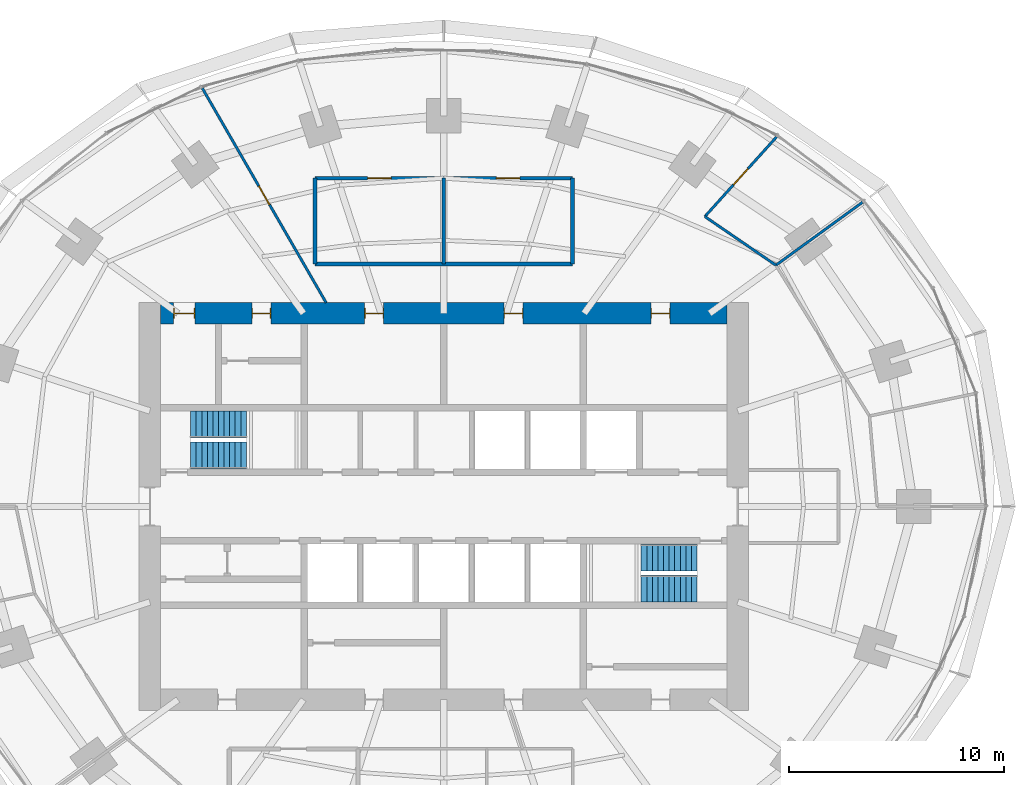
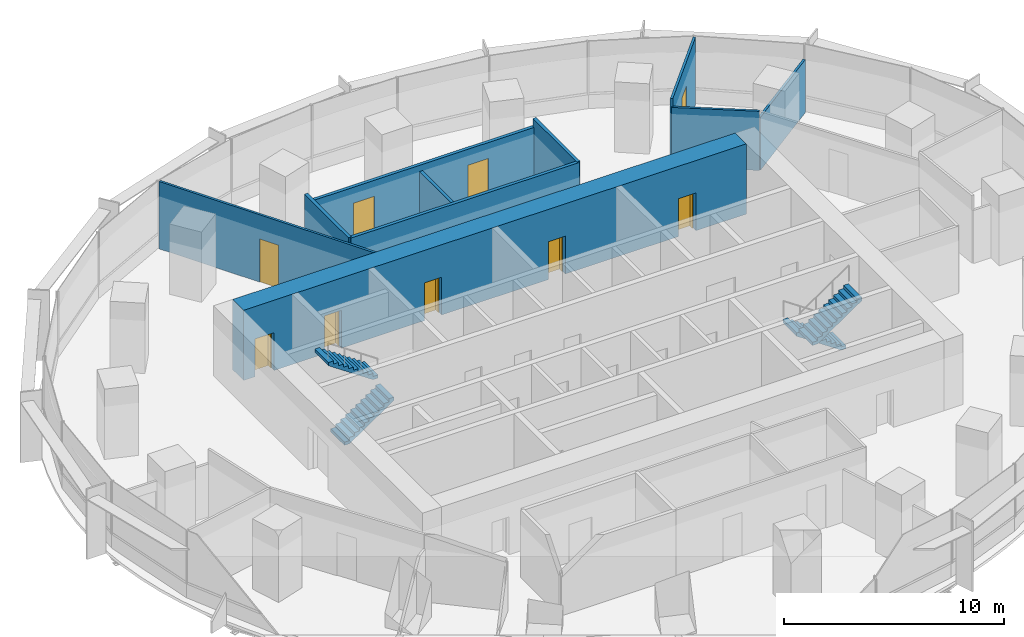
# One storey, part 12 of 14: 10 walls, 9 doors, 4 stair flights, 9 openings, 2 elements without a shape of their own.
"""IFC4 building model written with IfcOpenShell, lengths in metres."""

from ifc_helpers import new_model, si_unit, direction, frame, frame_2d, origin, place, context, subcontext, project, spatial, polyline, rectangle, outline, extrude, material, layer, layer_set, type_object, element, fill, aggregate, save


model = new_model("IFC4")

# Units and contexts
model_context = context("Model", 3, precision=1e-05, world=origin(), true_north=direction((0.0, 1.0)))
body_context = subcontext(model_context, "Body", "Model", "MODEL_VIEW")
ifc_project = project(units=[si_unit("LENGTHUNIT", "METRE"), si_unit("AREAUNIT", "SQUARE_METRE"), si_unit("VOLUMEUNIT", "CUBIC_METRE"), si_unit("PLANEANGLEUNIT", "RADIAN"), si_unit("MASSUNIT", "GRAM", prefix="KILO")], contexts=[model_context])

# Site, building, storey
site_placement = place(None, origin())
site = spatial("IfcSite", under=ifc_project, at=site_placement, CompositionType="ELEMENT")
building_placement = place(site_placement, origin())
building = spatial("IfcBuilding", under=site, at=building_placement, Name="Marramba Exchange Tower", CompositionType="ELEMENT")
storey_placement = place(building_placement, frame((0.0, 0.0, 100.199951171875)))
storey = spatial("IfcBuildingStorey", under=building, at=storey_placement, Name="L23", CompositionType="ELEMENT", Elevation=100.199951171875)

# Wall
ifc_material_1 = material(Name="Plasterboard on staggered double steel studs, acoustic insulation", Category="steel")
ifc_layer_1 = layer(ifc_material_1, 0.169921875)
ifc_layer_set_1 = layer_set([ifc_layer_1], Name="Acoustic partition 170")
wall_type_1 = type_object("IfcWallType", Name="Acoustic partition 170", PredefinedType="PARTITIONING", material=ifc_layer_set_1)
wall_1_placement = place(storey_placement, frame((6.0, 15.300048828125, 0.0), z_axis=(0.0, 0.0, 1.0), x_axis=(0.0, -1.0, 0.0)))
element("IfcWall", 1, at=wall_1_placement, inside=storey, type_object=wall_type_1, Name="Acoustic partition L23 27", PredefinedType="PARTITIONING", context=body_context, shape_type="SweptSolid", body=[
    extrude(rectangle(XDim=4.0, YDim=0.169921875, at=frame_2d((2.0, 0.0))), origin(), (0.0, 0.0, 1.0), 3.739990234375),
])

# Wall, openings, doors
wall_2_placement = place(storey_placement, frame((-6.0, 15.300048828125, 0.0), z_axis=(0.0, 0.0, 1.0), x_axis=(1.0, 0.0, 0.0)))
wall_2 = element("IfcWall", 2, at=wall_2_placement, inside=storey, type_object=wall_type_1, Name="Acoustic partition L23 28", PredefinedType="PARTITIONING", context=body_context, shape_type="SweptSolid", body=[
    extrude(rectangle(XDim=12.0, YDim=0.169921875, at=frame_2d((6.0, 0.0))), origin(), (0.0, 0.0, 1.0), 3.2861328125),
])
opening_1_placement = place(wall_2_placement, frame((2.449951171875, 0.0, 0.0)))
opening_1 = element("IfcOpeningElement", 3, at=opening_1_placement, cuts=wall_2, Name="Opening D15", PredefinedType="OPENING", context=body_context, shape_type="SweptSolid", body=[
    extrude(rectangle(XDim=1.10009765625, YDim=2.39990234375, at=frame_2d((0.550048828125, 1.199951171875))), frame((0.0, 0.094970703125, 0.0), z_axis=(0.0, -1.0, 0.0), x_axis=(1.0, 0.0, 0.0)), (0.0, 0.0, 1.0), 0.18994140625),
])
opening_2_placement = place(wall_2_placement, frame((8.449951171875, 0.0, 0.0)))
opening_2 = element("IfcOpeningElement", 4, at=opening_2_placement, cuts=wall_2, Name="Opening D15", PredefinedType="OPENING", context=body_context, shape_type="SweptSolid", body=[
    extrude(rectangle(XDim=1.10009765625, YDim=2.39990234375, at=frame_2d((0.550048828125, 1.199951171875))), frame((0.0, 0.094970703125, 0.0), z_axis=(0.0, -1.0, 0.0), x_axis=(1.0, 0.0, 0.0)), (0.0, 0.0, 1.0), 0.18994140625),
])
ifc_material_2 = material(Name="Timber door", Category="wood")
door_type_1 = type_object("IfcDoorType", Name="Glazed meeting room door 1100x2400", OperationType="SINGLE_SWING_LEFT", PredefinedType="DOOR", material=ifc_material_2)
door_1_placement = place(opening_1_placement, frame((1.10009765625, 0.0, 0.0), z_axis=(0.0, 0.0, 1.0), x_axis=(-1.0, 0.0, 0.0)))
door_1 = element("IfcDoor", 5, at=door_1_placement, inside=storey, type_object=door_type_1, Name="D15 Meeting Room 1 L23", OperationType="SINGLE_SWING_RIGHT", OverallHeight=2.39990234375, OverallWidth=1.10009765625, PredefinedType="DOOR", context=body_context, shape_type="SweptSolid", body=[
    extrude(rectangle(XDim=1.10009765625, YDim=2.39990234375, at=frame_2d((0.550048828125, 1.199951171875))), frame((0.0, 0.025146484375, 0.0), z_axis=(0.0, -1.0, 0.0), x_axis=(1.0, 0.0, 0.0)), (0.0, 0.0, 1.0), 0.050048828125),
])
fill(opening_1, door_1)
door_2_placement = place(opening_2_placement, frame((1.10009765625, 0.0, 0.0), z_axis=(0.0, 0.0, 1.0), x_axis=(-1.0, 0.0, 0.0)))
door_2 = element("IfcDoor", 6, at=door_2_placement, inside=storey, type_object=door_type_1, Name="D15 Meeting Room 2 L23", OperationType="SINGLE_SWING_RIGHT", OverallHeight=2.39990234375, OverallWidth=1.10009765625, PredefinedType="DOOR", context=body_context, shape_type="SweptSolid", body=[
    extrude(rectangle(XDim=1.10009765625, YDim=2.39990234375, at=frame_2d((0.550048828125, 1.199951171875))), frame((0.0, 0.025146484375, 0.0), z_axis=(0.0, -1.0, 0.0), x_axis=(1.0, 0.0, 0.0)), (0.0, 0.0, 1.0), 0.050048828125),
])
fill(opening_2, door_2)

# Walls
wall_3_placement = place(storey_placement, frame((0.0, 15.300048828125, 0.0), z_axis=(0.0, 0.0, 1.0), x_axis=(0.0, -1.0, 0.0)))
element("IfcWall", 7, at=wall_3_placement, inside=storey, type_object=wall_type_1, Name="Acoustic partition L23 29", PredefinedType="PARTITIONING", context=body_context, shape_type="SweptSolid", body=[
    extrude(rectangle(XDim=4.0, YDim=0.169921875, at=frame_2d((2.0, 0.0))), origin(), (0.0, 0.0, 1.0), 2.93994140625),
])
wall_4_placement = place(storey_placement, frame((6.0, 11.300048828125, 0.0), z_axis=(0.0, 0.0, 1.0), x_axis=(-1.0, 0.0, 0.0)))
element("IfcWall", 8, at=wall_4_placement, inside=storey, type_object=wall_type_1, Name="Acoustic partition L23 30", PredefinedType="PARTITIONING", context=body_context, shape_type="SweptSolid", body=[
    extrude(rectangle(XDim=12.0, YDim=0.169921875, at=frame_2d((6.0, 0.0))), origin(), (0.0, 0.0, 1.0), 3.739990234375),
])
wall_5_placement = place(storey_placement, frame((-6.0, 11.300048828125, 0.0), z_axis=(0.0, 0.0, 1.0), x_axis=(0.0, 1.0, 0.0)))
element("IfcWall", 9, at=wall_5_placement, inside=storey, type_object=wall_type_1, Name="Acoustic partition L23 31", PredefinedType="PARTITIONING", context=body_context, shape_type="SweptSolid", body=[
    extrude(rectangle(XDim=4.0, YDim=0.169921875, at=frame_2d((2.0, 0.0))), origin(), (0.0, 0.0, 1.0), 3.739990234375),
])

# Wall, openings, doors
ifc_material_3 = material(Name="Concrete N50", Category="concrete")
ifc_layer_2 = layer(ifc_material_3, 1.0)
ifc_layer_set_2 = layer_set([ifc_layer_2], Name="Core wall 1000")
wall_type_2 = type_object("IfcWallType", Name="Core wall 1000", PredefinedType="SHEAR", material=ifc_layer_set_2)
wall_6_placement = place(storey_placement, frame((13.199951171875, 9.0, 0.0), z_axis=(0.0, 0.0, 1.0), x_axis=(-1.0, 0.0, 0.0)))
wall_6 = element("IfcWall", 10, at=wall_6_placement, inside=storey, type_object=wall_type_2, Name="Core wall N L23", PredefinedType="SHEAR", context=body_context, shape_type="SweptSolid", body=[
    extrude(rectangle(XDim=26.39990234375, YDim=1.0, at=frame_2d((13.199951171875, 0.0))), origin(), (0.0, 0.0, 1.0), 3.900146484375),
])
opening_3_placement = place(wall_6_placement, frame((2.64990234375, 0.0, 0.0)))
opening_3 = element("IfcOpeningElement", 11, at=opening_3_placement, cuts=wall_6, Name="Opening D5", PredefinedType="OPENING", context=body_context, shape_type="SweptSolid", body=[
    extrude(rectangle(XDim=0.89990234375, YDim=2.10009765625, at=frame_2d((0.449951171875, 1.050048828125))), frame((0.0, 0.510009765625, 0.0), z_axis=(0.0, -1.0, 0.0), x_axis=(1.0, 0.0, 0.0)), (0.0, 0.0, 1.0), 1.02001953125),
])
opening_4_placement = place(wall_6_placement, frame((9.5, 0.0, 0.0)))
opening_4 = element("IfcOpeningElement", 12, at=opening_4_placement, cuts=wall_6, Name="Opening D3", PredefinedType="OPENING", context=body_context, shape_type="SweptSolid", body=[
    extrude(rectangle(XDim=0.89990234375, YDim=2.10009765625, at=frame_2d((0.449951171875, 1.050048828125))), frame((0.0, 0.510009765625, 0.0), z_axis=(0.0, -1.0, 0.0), x_axis=(1.0, 0.0, 0.0)), (0.0, 0.0, 1.0), 1.02001953125),
])
opening_5_placement = place(wall_6_placement, frame((16.0, 0.0, 0.0)))
opening_5 = element("IfcOpeningElement", 13, at=opening_5_placement, cuts=wall_6, Name="Opening D3", PredefinedType="OPENING", context=body_context, shape_type="SweptSolid", body=[
    extrude(rectangle(XDim=0.89990234375, YDim=2.10009765625, at=frame_2d((0.449951171875, 1.050048828125))), frame((0.0, 0.510009765625, 0.0), z_axis=(0.0, -1.0, 0.0), x_axis=(1.0, 0.0, 0.0)), (0.0, 0.0, 1.0), 1.02001953125),
])
opening_6_placement = place(wall_6_placement, frame((21.25, 0.0, 0.0)))
opening_6 = element("IfcOpeningElement", 14, at=opening_6_placement, cuts=wall_6, Name="Opening D5", PredefinedType="OPENING", context=body_context, shape_type="SweptSolid", body=[
    extrude(rectangle(XDim=0.89990234375, YDim=2.10009765625, at=frame_2d((0.449951171875, 1.050048828125))), frame((0.0, 0.510009765625, 0.0), z_axis=(0.0, -1.0, 0.0), x_axis=(1.0, 0.0, 0.0)), (0.0, 0.0, 1.0), 1.02001953125),
])
opening_7_placement = place(wall_6_placement, frame((24.800048828125, 0.0, 0.0)))
opening_7 = element("IfcOpeningElement", 15, at=opening_7_placement, cuts=wall_6, Name="Opening D4", PredefinedType="OPENING", context=body_context, shape_type="SweptSolid", body=[
    extrude(rectangle(XDim=1.0, YDim=2.10009765625, at=frame_2d((0.5, 1.050048828125))), frame((0.0, 0.510009765625, 0.0), z_axis=(0.0, -1.0, 0.0), x_axis=(1.0, 0.0, 0.0)), (0.0, 0.0, 1.0), 1.02001953125),
])
ifc_material_4 = material(Name="Steel-framed door", Category="steel")
door_type_2 = type_object("IfcDoorType", Name="Accessible toilet door 1000x2100", OperationType="SINGLE_SWING_LEFT", PredefinedType="DOOR", material=ifc_material_4)
door_3_placement = place(opening_7_placement, origin())
door_3 = element("IfcDoor", 16, at=door_3_placement, inside=storey, type_object=door_type_2, Name="D4 awc L23", OperationType="SINGLE_SWING_RIGHT", OverallHeight=2.10009765625, OverallWidth=1.0, PredefinedType="DOOR", context=body_context, shape_type="SweptSolid", body=[
    extrude(rectangle(XDim=0.919921875, YDim=2.06005859375, at=frame_2d((0.5, 1.030029296875))), frame((0.0, 0.02490234375, 0.0), z_axis=(0.0, -1.0, 0.0), x_axis=(1.0, 0.0, 0.0)), (0.0, 0.0, 1.0), 0.050048828125),
    extrude(rectangle(XDim=0.04, YDim=2.10009765625, at=frame_2d((0.02001953125, 1.050048828125))), frame((0.0, 0.25, 0.0), z_axis=(0.0, -1.0, 0.0), x_axis=(1.0, 0.0, 0.0)), (0.0, 0.0, 1.0), 0.5),
    extrude(rectangle(XDim=0.04, YDim=2.10009765625, at=frame_2d((0.97998046875, 1.050048828125))), frame((0.0, 0.25, 0.0), z_axis=(0.0, -1.0, 0.0), x_axis=(1.0, 0.0, 0.0)), (0.0, 0.0, 1.0), 0.5),
    extrude(rectangle(XDim=0.919921875, YDim=0.04, at=frame_2d((0.5, 2.080078125))), frame((0.0, 0.25, 0.0), z_axis=(0.0, -1.0, 0.0), x_axis=(1.0, 0.0, 0.0)), (0.0, 0.0, 1.0), 0.5),
])
fill(opening_7, door_3)
door_type_3 = type_object("IfcDoorType", Name="Service door 900x2100", OperationType="SINGLE_SWING_LEFT", PredefinedType="DOOR", material=ifc_material_4)
door_4_placement = place(opening_3_placement, origin())
door_4 = element("IfcDoor", 17, at=door_4_placement, inside=storey, type_object=door_type_3, Name="D5 comms L23", OperationType="SINGLE_SWING_LEFT", OverallHeight=2.10009765625, OverallWidth=0.89990234375, PredefinedType="DOOR", context=body_context, shape_type="SweptSolid", body=[
    extrude(rectangle(XDim=0.81982421875, YDim=2.06005859375, at=frame_2d((0.449951171875, 1.030029296875))), frame((0.0, 0.02490234375, 0.0), z_axis=(0.0, -1.0, 0.0), x_axis=(1.0, 0.0, 0.0)), (0.0, 0.0, 1.0), 0.050048828125),
    extrude(rectangle(XDim=0.04, YDim=2.10009765625, at=frame_2d((0.02001953125, 1.050048828125))), frame((0.0, 0.25, 0.0), z_axis=(0.0, -1.0, 0.0), x_axis=(1.0, 0.0, 0.0)), (0.0, 0.0, 1.0), 0.5),
    extrude(rectangle(XDim=0.04, YDim=2.10009765625, at=frame_2d((0.8798828125, 1.050048828125))), frame((0.0, 0.25, 0.0), z_axis=(0.0, -1.0, 0.0), x_axis=(1.0, 0.0, 0.0)), (0.0, 0.0, 1.0), 0.5),
    extrude(rectangle(XDim=0.81982421875, YDim=0.04, at=frame_2d((0.449951171875, 2.080078125))), frame((0.0, 0.25, 0.0), z_axis=(0.0, -1.0, 0.0), x_axis=(1.0, 0.0, 0.0)), (0.0, 0.0, 1.0), 0.5),
])
fill(opening_3, door_4)
door_5_placement = place(opening_6_placement, origin())
door_5 = element("IfcDoor", 18, at=door_5_placement, inside=storey, type_object=door_type_3, Name="D5 cleaner L23", OperationType="SINGLE_SWING_RIGHT", OverallHeight=2.10009765625, OverallWidth=0.89990234375, PredefinedType="DOOR", context=body_context, shape_type="SweptSolid", body=[
    extrude(rectangle(XDim=0.81982421875, YDim=2.06005859375, at=frame_2d((0.449951171875, 1.030029296875))), frame((0.0, 0.02490234375, 0.0), z_axis=(0.0, -1.0, 0.0), x_axis=(1.0, 0.0, 0.0)), (0.0, 0.0, 1.0), 0.050048828125),
    extrude(rectangle(XDim=0.04, YDim=2.10009765625, at=frame_2d((0.02001953125, 1.050048828125))), frame((0.0, 0.25, 0.0), z_axis=(0.0, -1.0, 0.0), x_axis=(1.0, 0.0, 0.0)), (0.0, 0.0, 1.0), 0.5),
    extrude(rectangle(XDim=0.04, YDim=2.10009765625, at=frame_2d((0.8798828125, 1.050048828125))), frame((0.0, 0.25, 0.0), z_axis=(0.0, -1.0, 0.0), x_axis=(1.0, 0.0, 0.0)), (0.0, 0.0, 1.0), 0.5),
    extrude(rectangle(XDim=0.81982421875, YDim=0.04, at=frame_2d((0.449951171875, 2.080078125))), frame((0.0, 0.25, 0.0), z_axis=(0.0, -1.0, 0.0), x_axis=(1.0, 0.0, 0.0)), (0.0, 0.0, 1.0), 0.5),
])
fill(opening_6, door_5)
door_type_4 = type_object("IfcDoorType", Name="Toilet door 900x2100", OperationType="SINGLE_SWING_LEFT", PredefinedType="DOOR", material=ifc_material_4)
door_6_placement = place(opening_4_placement, origin())
door_6 = element("IfcDoor", 19, at=door_6_placement, inside=storey, type_object=door_type_4, Name="D3 wc-f L23", OperationType="SINGLE_SWING_RIGHT", OverallHeight=2.10009765625, OverallWidth=0.89990234375, PredefinedType="DOOR", context=body_context, shape_type="SweptSolid", body=[
    extrude(rectangle(XDim=0.81982421875, YDim=2.06005859375, at=frame_2d((0.449951171875, 1.030029296875))), frame((0.0, 0.02490234375, 0.0), z_axis=(0.0, -1.0, 0.0), x_axis=(1.0, 0.0, 0.0)), (0.0, 0.0, 1.0), 0.050048828125),
    extrude(rectangle(XDim=0.04, YDim=2.10009765625, at=frame_2d((0.02001953125, 1.050048828125))), frame((0.0, 0.25, 0.0), z_axis=(0.0, -1.0, 0.0), x_axis=(1.0, 0.0, 0.0)), (0.0, 0.0, 1.0), 0.5),
    extrude(rectangle(XDim=0.04, YDim=2.10009765625, at=frame_2d((0.8798828125, 1.050048828125))), frame((0.0, 0.25, 0.0), z_axis=(0.0, -1.0, 0.0), x_axis=(1.0, 0.0, 0.0)), (0.0, 0.0, 1.0), 0.5),
    extrude(rectangle(XDim=0.81982421875, YDim=0.04, at=frame_2d((0.449951171875, 2.080078125))), frame((0.0, 0.25, 0.0), z_axis=(0.0, -1.0, 0.0), x_axis=(1.0, 0.0, 0.0)), (0.0, 0.0, 1.0), 0.5),
])
fill(opening_4, door_6)
door_7_placement = place(opening_5_placement, origin())
door_7 = element("IfcDoor", 20, at=door_7_placement, inside=storey, type_object=door_type_4, Name="D3 wc-m L23", OperationType="SINGLE_SWING_RIGHT", OverallHeight=2.10009765625, OverallWidth=0.89990234375, PredefinedType="DOOR", context=body_context, shape_type="SweptSolid", body=[
    extrude(rectangle(XDim=0.81982421875, YDim=2.06005859375, at=frame_2d((0.449951171875, 1.030029296875))), frame((0.0, 0.02490234375, 0.0), z_axis=(0.0, -1.0, 0.0), x_axis=(1.0, 0.0, 0.0)), (0.0, 0.0, 1.0), 0.050048828125),
    extrude(rectangle(XDim=0.04, YDim=2.10009765625, at=frame_2d((0.02001953125, 1.050048828125))), frame((0.0, 0.25, 0.0), z_axis=(0.0, -1.0, 0.0), x_axis=(1.0, 0.0, 0.0)), (0.0, 0.0, 1.0), 0.5),
    extrude(rectangle(XDim=0.04, YDim=2.10009765625, at=frame_2d((0.8798828125, 1.050048828125))), frame((0.0, 0.25, 0.0), z_axis=(0.0, -1.0, 0.0), x_axis=(1.0, 0.0, 0.0)), (0.0, 0.0, 1.0), 0.5),
    extrude(rectangle(XDim=0.81982421875, YDim=0.04, at=frame_2d((0.449951171875, 2.080078125))), frame((0.0, 0.25, 0.0), z_axis=(0.0, -1.0, 0.0), x_axis=(1.0, 0.0, 0.0)), (0.0, 0.0, 1.0), 0.5),
])
fill(opening_5, door_7)

# Walls
ifc_material_5 = material(Name="Plasterboard on steel studs", Category="steel")
ifc_layer_3 = layer(ifc_material_5, 0.1201171875)
ifc_layer_set_3 = layer_set([ifc_layer_3], Name="Partition 120")
wall_type_3 = type_object("IfcWallType", Name="Partition 120", PredefinedType="PARTITIONING", material=ifc_layer_set_3)
wall_7_placement = place(storey_placement, frame((19.521484375, 14.18310546875, 0.0), z_axis=(0.0, 0.0, 1.0), x_axis=(-0.809025274756, -0.587773855157, 0.0)))
element("IfcWall", 21, at=wall_7_placement, inside=storey, type_object=wall_type_3, Name="Partition L23 24", PredefinedType="PARTITIONING", context=body_context, shape_type="SweptSolid", body=[
    extrude(rectangle(XDim=4.999755859375, YDim=0.1201171875, at=frame_2d((2.5, 0.0))), origin(), (0.0, 0.0, 1.0), 2.93994140625),
])
wall_8_placement = place(storey_placement, frame((12.166748046875, 13.512451171875, 0.0), z_axis=(0.0, 0.0, 1.0), x_axis=(0.824905575903, -0.565270546591, 0.0)))
element("IfcWall", 22, at=wall_8_placement, inside=storey, type_object=wall_type_3, Name="Partition L23 25", PredefinedType="PARTITIONING", context=body_context, shape_type="SweptSolid", body=[
    extrude(rectangle(XDim=4.012451171875, YDim=0.1201171875, at=frame_2d((2.00634765625, 0.0))), origin(), (0.0, 0.0, 1.0), 3.2861328125),
])

# Wall, opening, door
wall_9_placement = place(storey_placement, frame((15.512451171875, 17.228271484375, 0.0), z_axis=(0.0, 0.0, 1.0), x_axis=(-0.669126573551, -0.743148456614, 0.0)))
wall_9 = element("IfcWall", 23, at=wall_9_placement, inside=storey, type_object=wall_type_3, Name="Partition L23 26", PredefinedType="PARTITIONING", context=body_context, shape_type="SweptSolid", body=[
    extrude(rectangle(XDim=5.0, YDim=0.1201171875, at=frame_2d((2.5, 0.0))), origin(), (0.0, 0.0, 1.0), 3.739990234375),
])
opening_8_placement = place(wall_9_placement, frame((2.0, 0.0, 0.0)))
opening_8 = element("IfcOpeningElement", 24, at=opening_8_placement, cuts=wall_9, Name="Opening D9", PredefinedType="OPENING", context=body_context, shape_type="SweptSolid", body=[
    extrude(rectangle(XDim=1.0, YDim=2.39990234375, at=frame_2d((0.5, 1.199951171875))), frame((0.0, 0.070068359375, 0.0), z_axis=(0.0, -1.0, 0.0), x_axis=(1.0, 0.0, 0.0)), (0.0, 0.0, 1.0), 0.14013671875),
])
door_type_5 = type_object("IfcDoorType", Name="Room door 1000x2400", OperationType="SINGLE_SWING_LEFT", PredefinedType="DOOR", material=ifc_material_2)
door_8_placement = place(opening_8_placement, origin())
door_8 = element("IfcDoor", 25, at=door_8_placement, inside=storey, type_object=door_type_5, Name="D9 Compliance Office 1 L23", OperationType="SINGLE_SWING_RIGHT", OverallHeight=2.39990234375, OverallWidth=1.0, PredefinedType="DOOR", context=body_context, shape_type="SweptSolid", body=[
    extrude(rectangle(XDim=1.0, YDim=2.39990234375, at=frame_2d((0.5, 1.199951171875))), frame((0.0, 0.02490234375, 0.0), z_axis=(0.0, -1.0, 0.0), x_axis=(1.0, 0.0, 0.0)), (0.0, 0.0, 1.0), 0.050048828125),
])
fill(opening_8, door_8)

wall_10_placement = place(storey_placement, frame((-5.48486328125, 9.5, 0.0), z_axis=(0.0, 0.0, 1.0), x_axis=(-0.500002645523, 0.866023876385, 0.0)))
wall_10 = element("IfcWall", 26, at=wall_10_placement, inside=storey, type_object=wall_type_3, Name="Partition L23 32", PredefinedType="PARTITIONING", context=body_context, shape_type="SweptSolid", body=[
    extrude(rectangle(XDim=11.5400390625, YDim=0.1201171875, at=frame_2d((5.77001953125, 0.0))), origin(), (0.0, 0.0, 1.0), 3.739990234375),
])
opening_9_placement = place(wall_10_placement, frame((5.27001953125, 0.0, 0.0)))
opening_9 = element("IfcOpeningElement", 27, at=opening_9_placement, cuts=wall_10, Name="Opening D9", PredefinedType="OPENING", context=body_context, shape_type="SweptSolid", body=[
    extrude(rectangle(XDim=1.0, YDim=2.39990234375, at=frame_2d((0.5, 1.199951171875))), frame((0.0, 0.070068359375, 0.0), z_axis=(0.0, -1.0, 0.0), x_axis=(1.0, 0.0, 0.0)), (0.0, 0.0, 1.0), 0.14013671875),
])
door_9_placement = place(opening_9_placement, origin())
door_9 = element("IfcDoor", 28, at=door_9_placement, inside=storey, type_object=door_type_5, Name="D9 Market Supervision Office L23", OperationType="SINGLE_SWING_LEFT", OverallHeight=2.39990234375, OverallWidth=1.0, PredefinedType="DOOR", context=body_context, shape_type="SweptSolid", body=[
    extrude(rectangle(XDim=1.0, YDim=2.39990234375, at=frame_2d((0.5, 1.199951171875))), frame((0.0, 0.02490234375, 0.0), z_axis=(0.0, -1.0, 0.0), x_axis=(1.0, 0.0, 0.0)), (0.0, 0.0, 1.0), 0.050048828125),
])
fill(opening_9, door_9)

# Stair, stair flights
ifc_material_6 = material(Name="Concrete N40 (40 MPa)", Category="concrete")
stair_type_1 = type_object("IfcStairType", Name="Exit stair ST1 3900 x 1250", PredefinedType="HALF_TURN_STAIR", material=ifc_material_6)
stair_1_placement = place(storey_placement, origin())
stair_1 = element("IfcStair", 29, at=stair_1_placement, inside=storey, type_object=stair_type_1, Name="Exit stair ST1 L23", PredefinedType="HALF_TURN_STAIR")
stair_flight_type_1 = type_object("IfcStairFlightType", Name="ST1 stair flight 1773 riser 1250 wide", PredefinedType="STRAIGHT", material=ifc_material_6)
stair_flight_1_placement = place(storey_placement, frame((-11.800048828125, 2.375, 0.0), z_axis=(0.0, 0.0, 1.0), x_axis=(1.0, 0.0, 0.0)))
stair_flight_1 = element("IfcStairFlight", 30, at=stair_flight_1_placement, type_object=stair_flight_type_1, Name="ST1 flight 1", NumberOfRisers=11, NumberOfTreads=10, PredefinedType="STRAIGHT", RiserHeight=0.177272727, TreadLength=0.26, context=body_context, shape_type="SweptSolid", body=[
    extrude(outline(polyline([(0.0, 0.0), (0.0, 0.17724609375), (0.260009765625, 0.17724609375), (0.260009765625, 0.3544921875), (0.52001953125, 0.3544921875), (0.52001953125, 0.53173828125), (0.780029296875, 0.53173828125), (0.780029296875, 0.708984375), (1.0400390625, 0.708984375), (1.0400390625, 0.886474609375), (1.300048828125, 0.886474609375), (1.300048828125, 1.063720703125), (1.56005859375, 1.063720703125), (1.56005859375, 1.240966796875), (1.820068359375, 1.240966796875), (1.820068359375, 1.418212890625), (2.080078125, 1.418212890625), (2.080078125, 1.595458984375), (2.340087890625, 1.595458984375), (2.340087890625, 1.772705078125), (2.60009765625, 1.772705078125), (2.60009765625, 1.949951171875), (2.60009765625, 1.59130859375), (0.26611328125, 0.0), (0.0, 0.0)])), frame((0.0, 0.625, 0.0), z_axis=(0.0, -1.0, 0.0), x_axis=(1.0, 0.0, 0.0)), (0.0, 0.0, 1.0), 1.25),
])
stair_flight_2_placement = place(storey_placement, frame((-9.199951171875, 3.824951171875, 1.949951171875), z_axis=(0.0, 0.0, 1.0), x_axis=(-1.0, 0.0, 0.0)))
stair_flight_2 = element("IfcStairFlight", 31, at=stair_flight_2_placement, type_object=stair_flight_type_1, Name="ST1 flight 2", NumberOfRisers=11, NumberOfTreads=10, PredefinedType="STRAIGHT", RiserHeight=0.177272727, TreadLength=0.26, context=body_context, shape_type="SweptSolid", body=[
    extrude(outline(polyline([(0.0, 0.0), (0.0, 0.17724609375), (0.260009765625, 0.17724609375), (0.260009765625, 0.3544921875), (0.52001953125, 0.3544921875), (0.52001953125, 0.53173828125), (0.780029296875, 0.53173828125), (0.780029296875, 0.708984375), (1.0400390625, 0.708984375), (1.0400390625, 0.886474609375), (1.300048828125, 0.886474609375), (1.300048828125, 1.063720703125), (1.56005859375, 1.063720703125), (1.56005859375, 1.240966796875), (1.820068359375, 1.240966796875), (1.820068359375, 1.418212890625), (2.080078125, 1.418212890625), (2.080078125, 1.595458984375), (2.340087890625, 1.595458984375), (2.340087890625, 1.772705078125), (2.60009765625, 1.772705078125), (2.60009765625, 1.949951171875), (2.60009765625, 1.59130859375), (0.26611328125, 0.0), (0.0, 0.0)])), frame((0.0, 0.625, 0.0), z_axis=(0.0, -1.0, 0.0), x_axis=(1.0, 0.0, 0.0)), (0.0, 0.0, 1.0), 1.25),
])
aggregate(stair_1, [stair_flight_1, stair_flight_2])

stair_type_2 = type_object("IfcStairType", Name="Exit stair ST2 3900 x 1250", PredefinedType="HALF_TURN_STAIR", material=ifc_material_6)
stair_2_placement = place(storey_placement, origin())
stair_2 = element("IfcStair", 32, at=stair_2_placement, inside=storey, type_object=stair_type_2, Name="Exit stair ST2 L23", PredefinedType="HALF_TURN_STAIR")
stair_flight_type_2 = type_object("IfcStairFlightType", Name="ST2 stair flight 1773 riser 1250 wide", PredefinedType="STRAIGHT", material=ifc_material_6)
stair_flight_3_placement = place(storey_placement, frame((11.800048828125, -2.375, 0.0), z_axis=(0.0, 0.0, 1.0), x_axis=(-1.0, 0.0, 0.0)))
stair_flight_3 = element("IfcStairFlight", 33, at=stair_flight_3_placement, type_object=stair_flight_type_2, Name="ST2 flight 1", NumberOfRisers=11, NumberOfTreads=10, PredefinedType="STRAIGHT", RiserHeight=0.177272727, TreadLength=0.26, context=body_context, shape_type="SweptSolid", body=[
    extrude(outline(polyline([(0.0, 0.0), (0.0, 0.17724609375), (0.260009765625, 0.17724609375), (0.260009765625, 0.3544921875), (0.52001953125, 0.3544921875), (0.52001953125, 0.53173828125), (0.780029296875, 0.53173828125), (0.780029296875, 0.708984375), (1.0400390625, 0.708984375), (1.0400390625, 0.886474609375), (1.300048828125, 0.886474609375), (1.300048828125, 1.063720703125), (1.56005859375, 1.063720703125), (1.56005859375, 1.240966796875), (1.820068359375, 1.240966796875), (1.820068359375, 1.418212890625), (2.080078125, 1.418212890625), (2.080078125, 1.595458984375), (2.340087890625, 1.595458984375), (2.340087890625, 1.772705078125), (2.60009765625, 1.772705078125), (2.60009765625, 1.949951171875), (2.60009765625, 1.59130859375), (0.26611328125, 0.0), (0.0, 0.0)])), frame((0.0, 0.625, 0.0), z_axis=(0.0, -1.0, 0.0), x_axis=(1.0, 0.0, 0.0)), (0.0, 0.0, 1.0), 1.25),
])
stair_flight_4_placement = place(storey_placement, frame((9.199951171875, -3.824951171875, 1.949951171875), z_axis=(0.0, 0.0, 1.0), x_axis=(1.0, 0.0, 0.0)))
stair_flight_4 = element("IfcStairFlight", 34, at=stair_flight_4_placement, type_object=stair_flight_type_2, Name="ST2 flight 2", NumberOfRisers=11, NumberOfTreads=10, PredefinedType="STRAIGHT", RiserHeight=0.177272727, TreadLength=0.26, context=body_context, shape_type="SweptSolid", body=[
    extrude(outline(polyline([(0.0, 0.0), (0.0, 0.17724609375), (0.260009765625, 0.17724609375), (0.260009765625, 0.3544921875), (0.52001953125, 0.3544921875), (0.52001953125, 0.53173828125), (0.780029296875, 0.53173828125), (0.780029296875, 0.708984375), (1.0400390625, 0.708984375), (1.0400390625, 0.886474609375), (1.300048828125, 0.886474609375), (1.300048828125, 1.063720703125), (1.56005859375, 1.063720703125), (1.56005859375, 1.240966796875), (1.820068359375, 1.240966796875), (1.820068359375, 1.418212890625), (2.080078125, 1.418212890625), (2.080078125, 1.595458984375), (2.340087890625, 1.595458984375), (2.340087890625, 1.772705078125), (2.60009765625, 1.772705078125), (2.60009765625, 1.949951171875), (2.60009765625, 1.59130859375), (0.26611328125, 0.0), (0.0, 0.0)])), frame((0.0, 0.625, 0.0), z_axis=(0.0, -1.0, 0.0), x_axis=(1.0, 0.0, 0.0)), (0.0, 0.0, 1.0), 1.25),
])
aggregate(stair_2, [stair_flight_3, stair_flight_4])

save(model, "model.ifc")
